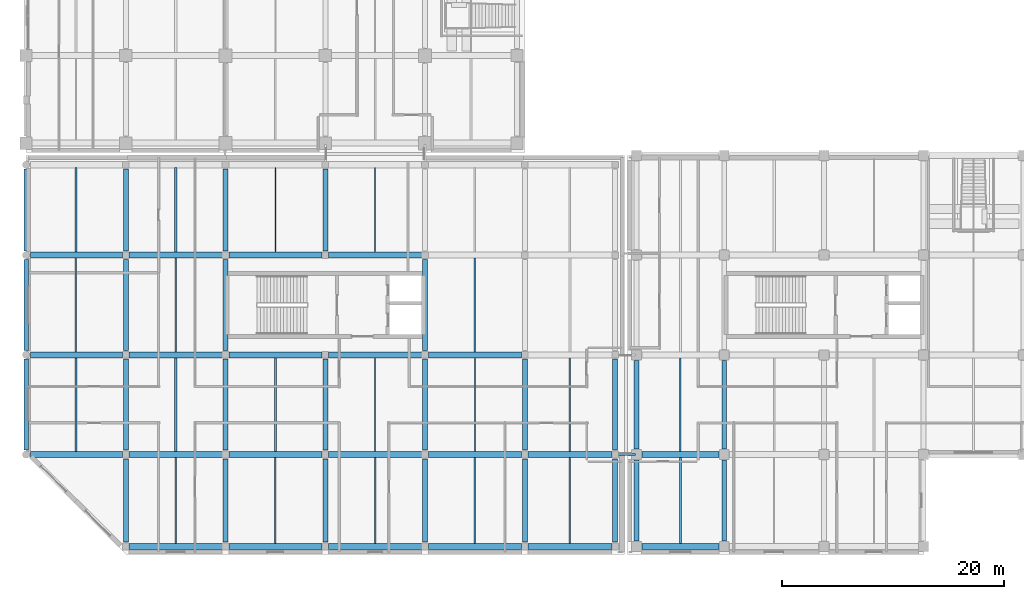
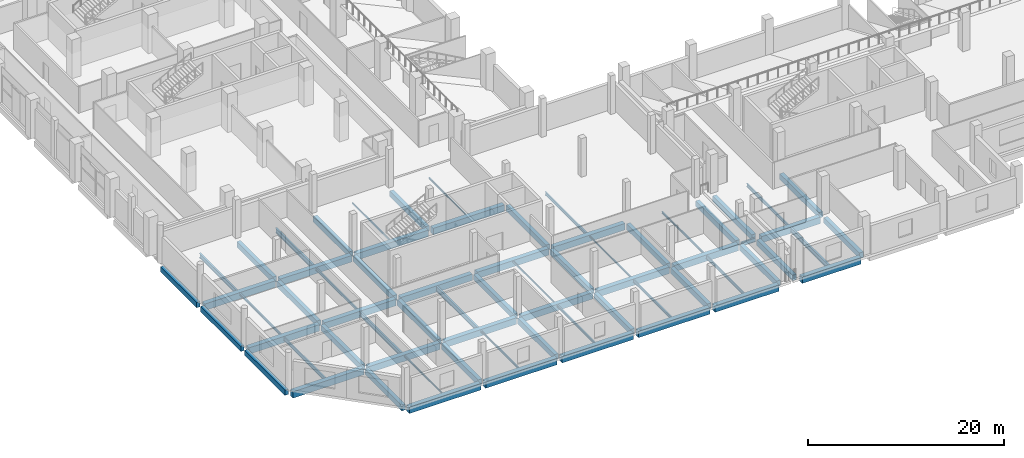
# One storey, part 5 of 100: 68 beams.
"""IFC4 building model written with IfcOpenShell, lengths in metres."""

import ifcopenshell
import ifcopenshell.guid

model = None  # the IFC model being written
_history = None  # IfcOwnerHistory: only IFC2X3 demands one
_inside = {}  # id of a spatial element -> (the spatial element, [elements in it])
_under = {}  # id of a project, library or spatial element -> (it, [spatial elements below it])
_declared = {}  # id of a project -> (the project, [libraries it declares])
_typed = {}  # id of a type object -> (the type object, [elements of that type])
_made_of = {}  # id of a material, layer set ... -> (it, [elements and type objects made of it])


def new_model(schema):
    """Start an empty IFC model of exactly this schema.

    Asked for "IFC4X3", IfcOpenShell would pick the latest addendum, in which some entities
    have other attributes; the version numbers below select the first issue.
    IFC2X3 requires an IfcOwnerHistory on every rooted entity: one is made here for all.
    """
    global model, _history
    if schema == "IFC4X3":
        model = ifcopenshell.file(schema_version=(4, 3, 0, 0))
    else:
        model = ifcopenshell.file(schema=schema)
    _inside.clear()
    _under.clear()
    _declared.clear()
    _typed.clear()
    _made_of.clear()
    _history = None
    if model.schema == "IFC2X3":
        org = make("IfcOrganization", Name="unknown")
        user = make(
            "IfcPersonAndOrganization",
            ThePerson=make("IfcPerson", FamilyName="unknown"),
            TheOrganization=org,
        )
        app = make(
            "IfcApplication",
            ApplicationDeveloper=org,
            Version="unknown",
            ApplicationFullName="unknown",
            ApplicationIdentifier="unknown",
        )
        _history = make(
            "IfcOwnerHistory",
            OwningUser=user,
            OwningApplication=app,
            ChangeAction="ADDED",
            CreationDate=0,
        )
    return model


def make(cls, **values):
    """One entity of the class cls with the attributes given. An attribute that is None is left unset."""
    return model.create_entity(
        cls, **{name: value for name, value in values.items() if value is not None}
    )


def rooted(cls, **values):
    """An entity with a GlobalId (a new one), such as an element, a storey or a relation."""
    return make(cls, GlobalId=ifcopenshell.guid.new(), OwnerHistory=_history, **values)


def si_unit(unit_type, name, prefix=None):
    """IfcSIUnit, for example si_unit("LENGTHUNIT", "METRE", prefix="MILLI")."""
    return make("IfcSIUnit", UnitType=unit_type, Prefix=prefix, Name=name)


def assignment(units):
    """IfcUnitAssignment: the units of a project."""
    return None if units is None else make("IfcUnitAssignment", Units=units)


def point(xyz):
    """IfcCartesianPoint."""
    return None if xyz is None else make("IfcCartesianPoint", Coordinates=xyz)


def direction(xyz):
    """IfcDirection."""
    return None if xyz is None else make("IfcDirection", DirectionRatios=xyz)


def frame(location, z_axis=None, x_axis=None):
    """IfcAxis2Placement3D, a coordinate frame: its origin and axes. An axis left out is left unset."""
    return make(
        "IfcAxis2Placement3D",
        Location=point(location),
        Axis=direction(z_axis),
        RefDirection=direction(x_axis),
    )


def frame_2d(location, x_axis=None):
    """IfcAxis2Placement2D, a coordinate frame in the plane: its origin and x axis."""
    return make(
        "IfcAxis2Placement2D", Location=point(location), RefDirection=direction(x_axis)
    )


def origin():
    """The frame at (0, 0, 0) with its axes left unset."""
    return frame((0.0, 0.0, 0.0))


def origin_2d():
    """The frame at (0, 0) in the plane with its x axis left unset."""
    return frame_2d((0.0, 0.0))


def place(relative_to, where):
    """IfcLocalPlacement: puts the frame where relative to a parent placement (None: the world)."""
    return make(
        "IfcLocalPlacement", PlacementRelTo=relative_to, RelativePlacement=where
    )


def context(
    kind, dimensions, precision=None, world=None, true_north=None, identifier=None
):
    """IfcGeometricRepresentationContext, for example the 3D "Model" context."""
    return make(
        "IfcGeometricRepresentationContext",
        ContextIdentifier=identifier,
        ContextType=kind,
        CoordinateSpaceDimension=dimensions,
        Precision=precision,
        WorldCoordinateSystem=world,
        TrueNorth=true_north,
    )


def subcontext(parent, identifier, kind, view, scale=None):
    """IfcGeometricRepresentationSubContext, for example "Body" below "Model"."""
    return make(
        "IfcGeometricRepresentationSubContext",
        ContextIdentifier=identifier,
        ContextType=kind,
        ParentContext=parent,
        TargetScale=scale,
        TargetView=view,
    )


def project(units=None, contexts=None):
    """IfcProject with its units and contexts."""
    return rooted(
        "IfcProject",
        Name="project",
        RepresentationContexts=contexts,
        UnitsInContext=assignment(units),
    )


def spatial(cls, under=None, at=None, **own):
    """A site, building, storey or space (cls), placed at a placement, below another one or the project."""
    s = rooted(cls, ObjectPlacement=at, **own)
    if under is not None:
        _under.setdefault(under.id(), (under, []))[1].append(s)
    return s


def profile(cls, at=None, kind="AREA", **sizes):
    """A parametric profile (cls). Its sizes go by their IFC names, for example OverallWidth=200.0."""
    return make(cls, ProfileType=kind, Position=at, **sizes)


def rectangle(**sizes):
    """IfcRectangleProfileDef."""
    return profile("IfcRectangleProfileDef", **sizes)


def hollow_rectangle(**sizes):
    """IfcRectangleHollowProfileDef."""
    return profile("IfcRectangleHollowProfileDef", **sizes)


def i_section(**sizes):
    """IfcIShapeProfileDef."""
    return profile("IfcIShapeProfileDef", **sizes)


def extrude(swept, where, along, depth):
    """IfcExtrudedAreaSolid: the profile swept, set in the frame where, extruded along a direction by depth."""
    return make(
        "IfcExtrudedAreaSolid",
        SweptArea=swept,
        Position=where,
        ExtrudedDirection=direction(along),
        Depth=depth,
    )


def shape(context_of_items, identifier, shape_type, items):
    """IfcShapeRepresentation: the items that make up one representation, for example the "Body"."""
    return make(
        "IfcShapeRepresentation",
        ContextOfItems=context_of_items,
        RepresentationIdentifier=identifier,
        RepresentationType=shape_type,
        Items=items,
    )


def material(Name=None, Category=None):
    """IfcMaterial."""
    return make("IfcMaterial", Name=Name, Category=Category)


def material_profile(
    of_material, cross_section, Name=None, Category=None, Priority=None
):
    """IfcMaterialProfile: a cross section and its material."""
    return make(
        "IfcMaterialProfile",
        Name=Name,
        Material=of_material,
        Profile=cross_section,
        Priority=Priority,
        Category=Category,
    )


def profile_set(profiles, Name=None, composite=None):
    """IfcMaterialProfileSet."""
    return make(
        "IfcMaterialProfileSet",
        Name=Name,
        MaterialProfiles=profiles,
        CompositeProfile=composite,
    )


def made_of(thing, what):
    """Note that an element or type object is made of a material, layer set ...; save() writes the relation."""
    if what is not None:
        _made_of.setdefault(what.id(), (what, []))[1].append(thing)
    return thing


def type_object(cls, material=None, **own):
    """A type object (cls), such as IfcWallType, which elements share."""
    return made_of(rooted(cls, **own), material)


def element(
    cls,
    number,
    at=None,
    inside=None,
    cuts=None,
    type_object=None,
    material=None,
    context=None,
    identifier="Body",
    shape_type=None,
    held_by="IfcProductDefinitionShape",
    body=None,
    shapes=None,
    **own,
):
    """One element of the class cls, such as IfcWall. Its Tag is "e" and its number.

    at: its placement. inside: the storey or other place that contains it. cuts: it is an
    opening in that element (IfcRelVoidsElement). A single representation is given by context,
    identifier, shape_type and body (its items); several are given by shapes. held_by: the class
    of the entity that holds the representations. save() writes the other relations.
    """
    e = rooted(cls, Tag="e%d" % number, ObjectPlacement=at, **own)
    if body is not None:
        shapes = [shape(context, identifier, shape_type, body)]
    if shapes is not None:
        e.Representation = make(held_by, Representations=shapes)
    if inside is not None:
        _inside.setdefault(inside.id(), (inside, []))[1].append(e)
    if cuts is not None:
        rooted(
            "IfcRelVoidsElement", RelatingBuildingElement=cuts, RelatedOpeningElement=e
        )
    if type_object is not None:
        _typed.setdefault(type_object.id(), (type_object, []))[1].append(e)
    return made_of(e, material)


def aggregate(whole, parts):
    """IfcRelAggregates: a whole, such as a stair, and the parts it consists of."""
    return rooted("IfcRelAggregates", RelatingObject=whole, RelatedObjects=parts)


def save(model, path):
    """Write the relations noted so far, then the file.

    IfcRelAggregates (storeys below a building ...), IfcRelContainedInSpatialStructure (elements
    in a storey), IfcRelDefinesByType, IfcRelAssociatesMaterial and IfcRelDeclares: one each for
    every whole, place, type object, material and project.
    """
    for whole, parts in _under.values():
        aggregate(whole, parts)
    for where, things in _inside.values():
        rooted(
            "IfcRelContainedInSpatialStructure",
            RelatedElements=things,
            RelatingStructure=where,
        )
    for kind, things in _typed.values():
        rooted("IfcRelDefinesByType", RelatedObjects=things, RelatingType=kind)
    for what, things in _made_of.values():
        rooted("IfcRelAssociatesMaterial", RelatedObjects=things, RelatingMaterial=what)
    for by, libraries in _declared.values():
        rooted("IfcRelDeclares", RelatingContext=by, RelatedDefinitions=libraries)
    model.write(path)


model = new_model("IFC4")

# Units and contexts
model_context = context("Model", 3, precision=1e-05, world=origin(), true_north=direction((0.0, 1.0)))
body_context = subcontext(model_context, "Body", "Model", "MODEL_VIEW")
ifc_project = project(units=[si_unit("LENGTHUNIT", "METRE"), si_unit("AREAUNIT", "SQUARE_METRE"), si_unit("VOLUMEUNIT", "CUBIC_METRE"), si_unit("PLANEANGLEUNIT", "RADIAN"), si_unit("MASSUNIT", "GRAM", prefix="KILO"), si_unit("THERMODYNAMICTEMPERATUREUNIT", "KELVIN"), si_unit("POWERUNIT", "WATT")], contexts=[model_context])

# Site, building, storey
site_placement = place(None, origin())
site = spatial("IfcSite", under=ifc_project, at=site_placement, CompositionType="ELEMENT")
building_placement = place(site_placement, origin())
building = spatial("IfcBuilding", under=site, at=building_placement, Name="Sindhuravela Promenade Stadium", CompositionType="ELEMENT")
storey_placement = place(building_placement, frame((0.0, 0.0, 4.800048828125)))
storey = spatial("IfcBuildingStorey", under=building, at=storey_placement, Name="L01", CompositionType="ELEMENT", Elevation=4.800048828125)

# Beams
ifc_material_1 = material(Name="Concrete M40", Category="concrete")
ifc_material_profile_1 = material_profile(ifc_material_1, rectangle(XDim=0.39990234375, YDim=0.64990234375, at=origin_2d()), Name="RC 400x650")
ifc_profile_set_1 = profile_set([ifc_material_profile_1], Name="Concrete M40")
beam_type_1 = type_object("IfcBeamType", Name="RC-BM-400x650", PredefinedType="SPANDREL", material=ifc_profile_set_1)
for number, where, z_axis, x_axis, name in (
    (1, (0.0, 9.389892578125, -0.625), (0.0, 1.0, 0.0), (-1.0, 0.0, 0.0), "Primary beam SP01 Pavilion SW L01"),
    (2, (0.0, 18.389892578125, -0.625), (0.0, 1.0, 0.0), (-1.0, 0.0, 0.0), "Primary beam SP01 Pavilion SW L01"),
):
    element("IfcBeam", number, at=place(storey_placement, frame(where, z_axis=z_axis, x_axis=x_axis)), inside=storey, type_object=beam_type_1, Name=name, PredefinedType="SPANDREL", context=body_context, shape_type="SweptSolid", body=[
        extrude(rectangle(XDim=0.39990234375, YDim=0.64990234375, at=origin_2d()), origin(), (0.0, 0.0, 1.0), 8.22021484375),
    ])
beam_1_placement = place(storey_placement, frame((0.0, 27.389892578125, -0.625), z_axis=(0.0, 1.0, 0.0), x_axis=(-1.0, 0.0, 0.0)))
element("IfcBeam", 3, at=beam_1_placement, inside=storey, type_object=beam_type_1, Name="Primary beam SP01 Pavilion SW L01", PredefinedType="SPANDREL", context=body_context, shape_type="SweptSolid", body=[
    extrude(rectangle(XDim=0.39990234375, YDim=0.64990234375, at=origin_2d()), origin(), (0.0, 0.0, 1.0), 7.3701171875),
])
ifc_material_profile_2 = material_profile(ifc_material_1, rectangle(XDim=0.449951171875, YDim=0.699951171875, at=origin_2d()), Name="RC 450x700")
ifc_profile_set_2 = profile_set([ifc_material_profile_2], Name="Concrete M40")
beam_type_2 = type_object("IfcBeamType", Name="RC-BM-450x700", PredefinedType="BEAM", material=ifc_profile_set_2)
beam_2_placement = place(storey_placement, frame((55.10009765625, 1.18994140625, -0.650146484375), z_axis=(0.0, 1.0, 0.0), x_axis=(-1.0, 0.0, 0.0)))
element("IfcBeam", 4, at=beam_2_placement, inside=storey, type_object=beam_type_2, Name="Primary beam GB07 SOUTH L01", PredefinedType="BEAM", context=body_context, shape_type="SweptSolid", body=[
    extrude(rectangle(XDim=0.449951171875, YDim=0.699951171875, at=origin_2d()), origin(), (0.0, 0.0, 1.0), 7.320068359375),
])
beam_3_placement = place(storey_placement, frame((55.10009765625, 9.489990234375, -0.650146484375), z_axis=(0.0, 1.0, 0.0), x_axis=(-1.0, 0.0, 0.0)))
element("IfcBeam", 5, at=beam_3_placement, inside=storey, type_object=beam_type_2, Name="Primary beam GB07 SOUTH L01", PredefinedType="BEAM", context=body_context, shape_type="SweptSolid", body=[
    extrude(rectangle(XDim=0.449951171875, YDim=0.699951171875, at=origin_2d()), origin(), (0.0, 0.0, 1.0), 8.02001953125),
])
beam_4_placement = place(storey_placement, frame((63.0, 1.18994140625, -0.650146484375), z_axis=(0.0, 1.0, 0.0), x_axis=(-1.0, 0.0, 0.0)))
element("IfcBeam", 6, at=beam_4_placement, inside=storey, type_object=beam_type_2, Name="Primary beam GB07 SOUTH L01", PredefinedType="BEAM", context=body_context, shape_type="SweptSolid", body=[
    extrude(rectangle(XDim=0.449951171875, YDim=0.699951171875, at=origin_2d()), origin(), (0.0, 0.0, 1.0), 7.320068359375),
])
beam_5_placement = place(storey_placement, frame((63.0, 9.489990234375, -0.650146484375), z_axis=(0.0, 1.0, 0.0), x_axis=(-1.0, 0.0, 0.0)))
element("IfcBeam", 7, at=beam_5_placement, inside=storey, type_object=beam_type_2, Name="Primary beam GB07 SOUTH L01", PredefinedType="BEAM", context=body_context, shape_type="SweptSolid", body=[
    extrude(rectangle(XDim=0.449951171875, YDim=0.699951171875, at=origin_2d()), origin(), (0.0, 0.0, 1.0), 8.02001953125),
])
beam_6_placement = place(storey_placement, frame((9.0, 1.090087890625, -0.650146484375), z_axis=(0.0, 1.0, 0.0), x_axis=(-1.0, 0.0, 0.0)))
element("IfcBeam", 8, at=beam_6_placement, inside=storey, type_object=beam_type_2, Name="Primary beam GB07 Pavilion SW L01", PredefinedType="BEAM", context=body_context, shape_type="SweptSolid", body=[
    extrude(rectangle(XDim=0.449951171875, YDim=0.699951171875, at=origin_2d()), origin(), (0.0, 0.0, 1.0), 7.52001953125),
])
for number, where, z_axis, x_axis, name in (
    (9, (9.0, 9.389892578125, -0.650146484375), (0.0, 1.0, 0.0), (-1.0, 0.0, 0.0), "Primary beam GB07 Pavilion SW L01"),
    (10, (9.0, 18.389892578125, -0.650146484375), (0.0, 1.0, 0.0), (-1.0, 0.0, 0.0), "Primary beam GB07 Pavilion SW L01"),
):
    element("IfcBeam", number, at=place(storey_placement, frame(where, z_axis=z_axis, x_axis=x_axis)), inside=storey, type_object=beam_type_2, Name=name, PredefinedType="BEAM", context=body_context, shape_type="SweptSolid", body=[
        extrude(rectangle(XDim=0.449951171875, YDim=0.699951171875, at=origin_2d()), origin(), (0.0, 0.0, 1.0), 8.22021484375),
    ])
beam_7_placement = place(storey_placement, frame((9.0, 27.389892578125, -0.650146484375), z_axis=(0.0, 1.0, 0.0), x_axis=(-1.0, 0.0, 0.0)))
element("IfcBeam", 11, at=beam_7_placement, inside=storey, type_object=beam_type_2, Name="Primary beam GB07 Pavilion SW L01", PredefinedType="BEAM", context=body_context, shape_type="SweptSolid", body=[
    extrude(rectangle(XDim=0.449951171875, YDim=0.699951171875, at=origin_2d()), origin(), (0.0, 0.0, 1.0), 7.3701171875),
])
beam_8_placement = place(storey_placement, frame((18.0, 1.090087890625, -0.650146484375), z_axis=(0.0, 1.0, 0.0), x_axis=(-1.0, 0.0, 0.0)))
element("IfcBeam", 12, at=beam_8_placement, inside=storey, type_object=beam_type_2, Name="Primary beam GB07 Pavilion SW L01", PredefinedType="BEAM", context=body_context, shape_type="SweptSolid", body=[
    extrude(rectangle(XDim=0.449951171875, YDim=0.699951171875, at=origin_2d()), origin(), (0.0, 0.0, 1.0), 7.52001953125),
])
for number, where, z_axis, x_axis, name in (
    (13, (18.0, 9.389892578125, -0.650146484375), (0.0, 1.0, 0.0), (-1.0, 0.0, 0.0), "Primary beam GB07 Pavilion SW L01"),
    (14, (18.0, 18.389892578125, -0.650146484375), (0.0, 1.0, 0.0), (-1.0, 0.0, 0.0), "Primary beam GB07 Pavilion SW L01"),
):
    element("IfcBeam", number, at=place(storey_placement, frame(where, z_axis=z_axis, x_axis=x_axis)), inside=storey, type_object=beam_type_2, Name=name, PredefinedType="BEAM", context=body_context, shape_type="SweptSolid", body=[
        extrude(rectangle(XDim=0.449951171875, YDim=0.699951171875, at=origin_2d()), origin(), (0.0, 0.0, 1.0), 8.22021484375),
    ])
beam_9_placement = place(storey_placement, frame((18.0, 27.389892578125, -0.650146484375), z_axis=(0.0, 1.0, 0.0), x_axis=(-1.0, 0.0, 0.0)))
element("IfcBeam", 15, at=beam_9_placement, inside=storey, type_object=beam_type_2, Name="Primary beam GB07 Pavilion SW L01", PredefinedType="BEAM", context=body_context, shape_type="SweptSolid", body=[
    extrude(rectangle(XDim=0.449951171875, YDim=0.699951171875, at=origin_2d()), origin(), (0.0, 0.0, 1.0), 7.3701171875),
])
beam_10_placement = place(storey_placement, frame((27.0, 1.090087890625, -0.650146484375), z_axis=(0.0, 1.0, 0.0), x_axis=(-1.0, 0.0, 0.0)))
element("IfcBeam", 16, at=beam_10_placement, inside=storey, type_object=beam_type_2, Name="Primary beam GB07 Pavilion SW L01", PredefinedType="BEAM", context=body_context, shape_type="SweptSolid", body=[
    extrude(rectangle(XDim=0.449951171875, YDim=0.699951171875, at=origin_2d()), origin(), (0.0, 0.0, 1.0), 7.52001953125),
])
beam_11_placement = place(storey_placement, frame((27.0, 9.389892578125, -0.650146484375), z_axis=(0.0, 1.0, 0.0), x_axis=(-1.0, 0.0, 0.0)))
element("IfcBeam", 17, at=beam_11_placement, inside=storey, type_object=beam_type_2, Name="Primary beam GB07 Pavilion SW L01", PredefinedType="BEAM", context=body_context, shape_type="SweptSolid", body=[
    extrude(rectangle(XDim=0.449951171875, YDim=0.699951171875, at=origin_2d()), origin(), (0.0, 0.0, 1.0), 8.22021484375),
])
beam_12_placement = place(storey_placement, frame((27.0, 27.389892578125, -0.650146484375), z_axis=(0.0, 1.0, 0.0), x_axis=(-1.0, 0.0, 0.0)))
element("IfcBeam", 18, at=beam_12_placement, inside=storey, type_object=beam_type_2, Name="Primary beam GB07 Pavilion SW L01", PredefinedType="BEAM", context=body_context, shape_type="SweptSolid", body=[
    extrude(rectangle(XDim=0.449951171875, YDim=0.699951171875, at=origin_2d()), origin(), (0.0, 0.0, 1.0), 7.3701171875),
])
beam_13_placement = place(storey_placement, frame((36.0, 1.090087890625, -0.650146484375), z_axis=(0.0, 1.0, 0.0), x_axis=(-1.0, 0.0, 0.0)))
element("IfcBeam", 19, at=beam_13_placement, inside=storey, type_object=beam_type_2, Name="Primary beam GB07 Pavilion SW L01", PredefinedType="BEAM", context=body_context, shape_type="SweptSolid", body=[
    extrude(rectangle(XDim=0.449951171875, YDim=0.699951171875, at=origin_2d()), origin(), (0.0, 0.0, 1.0), 7.52001953125),
])
for number, where, z_axis, x_axis, name in (
    (20, (36.0, 9.389892578125, -0.650146484375), (0.0, 1.0, 0.0), (-1.0, 0.0, 0.0), "Primary beam GB07 Pavilion SW L01"),
    (21, (36.0, 18.389892578125, -0.650146484375), (0.0, 1.0, 0.0), (-1.0, 0.0, 0.0), "Primary beam GB07 Pavilion SW L01"),
):
    element("IfcBeam", number, at=place(storey_placement, frame(where, z_axis=z_axis, x_axis=x_axis)), inside=storey, type_object=beam_type_2, Name=name, PredefinedType="BEAM", context=body_context, shape_type="SweptSolid", body=[
        extrude(rectangle(XDim=0.449951171875, YDim=0.699951171875, at=origin_2d()), origin(), (0.0, 0.0, 1.0), 8.22021484375),
    ])
beam_14_placement = place(storey_placement, frame((45.0, 1.090087890625, -0.650146484375), z_axis=(0.0, 1.0, 0.0), x_axis=(-1.0, 0.0, 0.0)))
element("IfcBeam", 22, at=beam_14_placement, inside=storey, type_object=beam_type_2, Name="Primary beam GB07 Pavilion SW L01", PredefinedType="BEAM", context=body_context, shape_type="SweptSolid", body=[
    extrude(rectangle(XDim=0.449951171875, YDim=0.699951171875, at=origin_2d()), origin(), (0.0, 0.0, 1.0), 7.52001953125),
])
beam_15_placement = place(storey_placement, frame((45.0, 9.389892578125, -0.650146484375), z_axis=(0.0, 1.0, 0.0), x_axis=(-1.0, 0.0, 0.0)))
element("IfcBeam", 23, at=beam_15_placement, inside=storey, type_object=beam_type_2, Name="Primary beam GB07 Pavilion SW L01", PredefinedType="BEAM", context=body_context, shape_type="SweptSolid", body=[
    extrude(rectangle(XDim=0.449951171875, YDim=0.699951171875, at=origin_2d()), origin(), (0.0, 0.0, 1.0), 8.22021484375),
])
beam_16_placement = place(storey_placement, frame((53.14990234375, 1.090087890625, -0.650146484375), z_axis=(0.0, 1.0, 0.0), x_axis=(-1.0, 0.0, 0.0)))
element("IfcBeam", 24, at=beam_16_placement, inside=storey, type_object=beam_type_2, Name="Primary beam GB07 Pavilion SW L01", PredefinedType="BEAM", context=body_context, shape_type="SweptSolid", body=[
    extrude(rectangle(XDim=0.449951171875, YDim=0.699951171875, at=origin_2d()), origin(), (0.0, 0.0, 1.0), 7.52001953125),
])
beam_17_placement = place(storey_placement, frame((53.14990234375, 9.389892578125, -0.650146484375), z_axis=(0.0, 1.0, 0.0), x_axis=(-1.0, 0.0, 0.0)))
element("IfcBeam", 25, at=beam_17_placement, inside=storey, type_object=beam_type_2, Name="Primary beam GB07 Pavilion SW L01", PredefinedType="BEAM", context=body_context, shape_type="SweptSolid", body=[
    extrude(rectangle(XDim=0.449951171875, YDim=0.699951171875, at=origin_2d()), origin(), (0.0, 0.0, 1.0), 8.22021484375),
])
ifc_material_profile_3 = material_profile(ifc_material_1, rectangle(XDim=0.550048828125, YDim=0.800048828125, at=origin_2d()), Name="RC 550x800")
ifc_profile_set_3 = profile_set([ifc_material_profile_3], Name="Concrete M40")
beam_type_3 = type_object("IfcBeamType", Name="RC-BM-550x800", PredefinedType="BEAM", material=ifc_profile_set_3)
for number, where, z_axis, x_axis, name in (
    (26, (55.590087890625, 0.699951171875, -0.699951171875), (1.0, 0.0, 0.0), (0.0, 1.0, 0.0), "Primary girder GB05 SOUTH L01"),
    (27, (55.590087890625, 9.0, -0.699951171875), (1.0, 0.0, 0.0), (0.0, 1.0, 0.0), "Primary girder GB05 SOUTH L01"),
):
    element("IfcBeam", number, at=place(storey_placement, frame(where, z_axis=z_axis, x_axis=x_axis)), inside=storey, type_object=beam_type_3, Name=name, PredefinedType="BEAM", context=body_context, shape_type="SweptSolid", body=[
        extrude(rectangle(XDim=0.550048828125, YDim=0.800048828125, at=origin_2d()), origin(), (0.0, 0.0, 1.0), 6.919921875),
    ])
for number, where, z_axis, x_axis, name in (
    (28, (9.2900390625, 0.699951171875, -0.699951171875), (1.0, 0.0, 0.0), (0.0, 1.0, 0.0), "Primary girder GB05 Pavilion SW L01"),
    (29, (18.2900390625, 0.699951171875, -0.699951171875), (1.0, 0.0, 0.0), (0.0, 1.0, 0.0), "Primary girder GB05 Pavilion SW L01"),
    (30, (27.2900390625, 0.699951171875, -0.699951171875), (1.0, 0.0, 0.0), (0.0, 1.0, 0.0), "Primary girder GB05 Pavilion SW L01"),
    (31, (36.2900390625, 0.699951171875, -0.699951171875), (1.0, 0.0, 0.0), (0.0, 1.0, 0.0), "Primary girder GB05 Pavilion SW L01"),
):
    element("IfcBeam", number, at=place(storey_placement, frame(where, z_axis=z_axis, x_axis=x_axis)), inside=storey, type_object=beam_type_3, Name=name, PredefinedType="BEAM", context=body_context, shape_type="SweptSolid", body=[
        extrude(rectangle(XDim=0.550048828125, YDim=0.800048828125, at=origin_2d()), origin(), (0.0, 0.0, 1.0), 8.419921875),
    ])
beam_18_placement = place(storey_placement, frame((45.2900390625, 0.699951171875, -0.699951171875), z_axis=(1.0, 0.0, 0.0), x_axis=(0.0, 1.0, 0.0)))
element("IfcBeam", 32, at=beam_18_placement, inside=storey, type_object=beam_type_3, Name="Primary girder GB05 Pavilion SW L01", PredefinedType="BEAM", context=body_context, shape_type="SweptSolid", body=[
    extrude(rectangle(XDim=0.550048828125, YDim=0.800048828125, at=origin_2d()), origin(), (0.0, 0.0, 1.0), 7.570068359375),
])
beam_19_placement = place(storey_placement, frame((0.389892578125, 9.0, -0.699951171875), z_axis=(1.0, 0.0, 0.0), x_axis=(0.0, 1.0, 0.0)))
element("IfcBeam", 33, at=beam_19_placement, inside=storey, type_object=beam_type_3, Name="Primary girder GB05 Pavilion SW L01", PredefinedType="BEAM", context=body_context, shape_type="SweptSolid", body=[
    extrude(rectangle(XDim=0.550048828125, YDim=0.800048828125, at=origin_2d()), origin(), (0.0, 0.0, 1.0), 8.320068359375),
])
for number, where, z_axis, x_axis, name in (
    (34, (9.2900390625, 9.0, -0.699951171875), (1.0, 0.0, 0.0), (0.0, 1.0, 0.0), "Primary girder GB05 Pavilion SW L01"),
    (35, (18.2900390625, 9.0, -0.699951171875), (1.0, 0.0, 0.0), (0.0, 1.0, 0.0), "Primary girder GB05 Pavilion SW L01"),
    (36, (27.2900390625, 9.0, -0.699951171875), (1.0, 0.0, 0.0), (0.0, 1.0, 0.0), "Primary girder GB05 Pavilion SW L01"),
    (37, (36.2900390625, 9.0, -0.699951171875), (1.0, 0.0, 0.0), (0.0, 1.0, 0.0), "Primary girder GB05 Pavilion SW L01"),
):
    element("IfcBeam", number, at=place(storey_placement, frame(where, z_axis=z_axis, x_axis=x_axis)), inside=storey, type_object=beam_type_3, Name=name, PredefinedType="BEAM", context=body_context, shape_type="SweptSolid", body=[
        extrude(rectangle(XDim=0.550048828125, YDim=0.800048828125, at=origin_2d()), origin(), (0.0, 0.0, 1.0), 8.419921875),
    ])
beam_20_placement = place(storey_placement, frame((45.2900390625, 9.0, -0.699951171875), z_axis=(1.0, 0.0, 0.0), x_axis=(0.0, 1.0, 0.0)))
element("IfcBeam", 38, at=beam_20_placement, inside=storey, type_object=beam_type_3, Name="Primary girder GB05 Pavilion SW L01", PredefinedType="BEAM", context=body_context, shape_type="SweptSolid", body=[
    extrude(rectangle(XDim=0.550048828125, YDim=0.800048828125, at=origin_2d()), origin(), (0.0, 0.0, 1.0), 7.570068359375),
])
beam_21_placement = place(storey_placement, frame((0.389892578125, 18.0, -0.699951171875), z_axis=(1.0, 0.0, 0.0), x_axis=(0.0, 1.0, 0.0)))
element("IfcBeam", 39, at=beam_21_placement, inside=storey, type_object=beam_type_3, Name="Primary girder GB05 Pavilion SW L01", PredefinedType="BEAM", context=body_context, shape_type="SweptSolid", body=[
    extrude(rectangle(XDim=0.550048828125, YDim=0.800048828125, at=origin_2d()), origin(), (0.0, 0.0, 1.0), 8.320068359375),
])
for number, where, z_axis, x_axis, name in (
    (40, (9.2900390625, 18.0, -0.699951171875), (1.0, 0.0, 0.0), (0.0, 1.0, 0.0), "Primary girder GB05 Pavilion SW L01"),
    (41, (18.2900390625, 18.0, -0.699951171875), (1.0, 0.0, 0.0), (0.0, 1.0, 0.0), "Primary girder GB05 Pavilion SW L01"),
    (42, (27.2900390625, 18.0, -0.699951171875), (1.0, 0.0, 0.0), (0.0, 1.0, 0.0), "Primary girder GB05 Pavilion SW L01"),
    (43, (36.2900390625, 18.0, -0.699951171875), (1.0, 0.0, 0.0), (0.0, 1.0, 0.0), "Primary girder GB05 Pavilion SW L01"),
):
    element("IfcBeam", number, at=place(storey_placement, frame(where, z_axis=z_axis, x_axis=x_axis)), inside=storey, type_object=beam_type_3, Name=name, PredefinedType="BEAM", context=body_context, shape_type="SweptSolid", body=[
        extrude(rectangle(XDim=0.550048828125, YDim=0.800048828125, at=origin_2d()), origin(), (0.0, 0.0, 1.0), 8.419921875),
    ])
beam_22_placement = place(storey_placement, frame((0.389892578125, 27.0, -0.699951171875), z_axis=(1.0, 0.0, 0.0), x_axis=(0.0, 1.0, 0.0)))
element("IfcBeam", 44, at=beam_22_placement, inside=storey, type_object=beam_type_3, Name="Primary girder GB05 Pavilion SW L01", PredefinedType="BEAM", context=body_context, shape_type="SweptSolid", body=[
    extrude(rectangle(XDim=0.550048828125, YDim=0.800048828125, at=origin_2d()), origin(), (0.0, 0.0, 1.0), 8.320068359375),
])
for number, where, z_axis, x_axis, name in (
    (45, (9.2900390625, 27.0, -0.699951171875), (1.0, 0.0, 0.0), (0.0, 1.0, 0.0), "Primary girder GB05 Pavilion SW L01"),
    (46, (18.2900390625, 27.0, -0.699951171875), (1.0, 0.0, 0.0), (0.0, 1.0, 0.0), "Primary girder GB05 Pavilion SW L01"),
    (47, (27.2900390625, 27.0, -0.699951171875), (1.0, 0.0, 0.0), (0.0, 1.0, 0.0), "Primary girder GB05 Pavilion SW L01"),
):
    element("IfcBeam", number, at=place(storey_placement, frame(where, z_axis=z_axis, x_axis=x_axis)), inside=storey, type_object=beam_type_3, Name=name, PredefinedType="BEAM", context=body_context, shape_type="SweptSolid", body=[
        extrude(rectangle(XDim=0.550048828125, YDim=0.800048828125, at=origin_2d()), origin(), (0.0, 0.0, 1.0), 8.419921875),
    ])
ifc_material_2 = material(Name="Steel E350 (IS 2062 E350BR)", Category="steel")
ifc_material_profile_4 = material_profile(ifc_material_2, hollow_rectangle(XDim=0.10009765625, YDim=0.199951171875, WallThickness=0.008056640625, at=origin_2d()), Name="RHS 200x100x8")
ifc_profile_set_4 = profile_set([ifc_material_profile_4], Name="Steel E350 (IS 2062 E350BR)")
beam_type_4 = type_object("IfcBeamType", Name="ST-BM-LNT200", PredefinedType="LINTEL", material=ifc_profile_set_4)
beam_23_placement = place(storey_placement, frame((31.5, 9.264892578125, -0.400146484375), z_axis=(0.0, 1.0, 0.0), x_axis=(-1.0, 0.0, 0.0)))
element("IfcBeam", 48, at=beam_23_placement, inside=storey, type_object=beam_type_4, Name="Secondary floor joist LN01 Pavilion SW L01", PredefinedType="LINTEL", context=body_context, shape_type="SweptSolid", body=[
    extrude(hollow_rectangle(XDim=0.10009765625, YDim=0.199951171875, WallThickness=0.008056640625, at=origin_2d()), origin(), (0.0, 0.0, 1.0), 8.47021484375),
])
beam_24_placement = place(storey_placement, frame((22.5, 27.264892578125, -0.400146484375), z_axis=(0.0, 1.0, 0.0), x_axis=(-1.0, 0.0, 0.0)))
element("IfcBeam", 49, at=beam_24_placement, inside=storey, type_object=beam_type_4, Name="Secondary floor joist LN01 Pavilion SW L01", PredefinedType="LINTEL", context=body_context, shape_type="SweptSolid", body=[
    extrude(hollow_rectangle(XDim=0.10009765625, YDim=0.199951171875, WallThickness=0.008056640625, at=origin_2d()), origin(), (0.0, 0.0, 1.0), 7.6201171875),
])
ifc_material_profile_5 = material_profile(ifc_material_2, i_section(OverallWidth=0.10009765625, OverallDepth=0.199951171875, WebThickness=0.005615234375, FlangeThickness=0.0107421875, FilletRadius=0.010986328125, at=origin_2d()), Name="ISMB 200")
ifc_profile_set_5 = profile_set([ifc_material_profile_5], Name="Steel E350 (IS 2062 E350BR)")
beam_type_5 = type_object("IfcBeamType", Name="ST-BM-MB200", PredefinedType="JOIST", material=ifc_profile_set_5)
beam_25_placement = place(storey_placement, frame((13.5, 0.965087890625, -0.400146484375), z_axis=(0.0, 1.0, 0.0), x_axis=(-1.0, 0.0, 0.0)))
element("IfcBeam", 50, at=beam_25_placement, inside=storey, type_object=beam_type_5, Name="Secondary floor joist SB01 Pavilion SW L01", PredefinedType="JOIST", context=body_context, shape_type="SweptSolid", body=[
    extrude(i_section(OverallWidth=0.10009765625, OverallDepth=0.199951171875, WebThickness=0.005615234375, FlangeThickness=0.0107421875, FilletRadius=0.010986328125, at=origin_2d()), origin(), (0.0, 0.0, 1.0), 7.77001953125),
])
beam_26_placement = place(storey_placement, frame((40.5, 9.264892578125, -0.400146484375), z_axis=(0.0, 1.0, 0.0), x_axis=(-1.0, 0.0, 0.0)))
element("IfcBeam", 51, at=beam_26_placement, inside=storey, type_object=beam_type_5, Name="Secondary floor joist SB01 Pavilion SW L01", PredefinedType="JOIST", context=body_context, shape_type="SweptSolid", body=[
    extrude(i_section(OverallWidth=0.10009765625, OverallDepth=0.199951171875, WebThickness=0.005615234375, FlangeThickness=0.0107421875, FilletRadius=0.010986328125, at=origin_2d()), origin(), (0.0, 0.0, 1.0), 8.47021484375),
])
beam_27_placement = place(storey_placement, frame((31.5, 27.264892578125, -0.400146484375), z_axis=(0.0, 1.0, 0.0), x_axis=(-1.0, 0.0, 0.0)))
element("IfcBeam", 52, at=beam_27_placement, inside=storey, type_object=beam_type_5, Name="Secondary floor joist SB01 Pavilion SW L01", PredefinedType="JOIST", context=body_context, shape_type="SweptSolid", body=[
    extrude(i_section(OverallWidth=0.10009765625, OverallDepth=0.199951171875, WebThickness=0.005615234375, FlangeThickness=0.0107421875, FilletRadius=0.010986328125, at=origin_2d()), origin(), (0.0, 0.0, 1.0), 7.6201171875),
])
ifc_material_profile_6 = material_profile(ifc_material_2, i_section(OverallWidth=0.125, OverallDepth=0.25, WebThickness=0.0068359375, FlangeThickness=0.012451171875, FilletRadius=0.012939453125, at=origin_2d()), Name="ISMB 250")
ifc_profile_set_6 = profile_set([ifc_material_profile_6], Name="Steel E350 (IS 2062 E350BR)")
beam_type_6 = type_object("IfcBeamType", Name="ST-BM-MB250", PredefinedType="JOIST", material=ifc_profile_set_6)
beam_28_placement = place(storey_placement, frame((22.5, 0.965087890625, -0.425048828125), z_axis=(0.0, 1.0, 0.0), x_axis=(-1.0, 0.0, 0.0)))
element("IfcBeam", 53, at=beam_28_placement, inside=storey, type_object=beam_type_6, Name="Secondary floor joist SB02 Pavilion SW L01", PredefinedType="JOIST", context=body_context, shape_type="SweptSolid", body=[
    extrude(i_section(OverallWidth=0.125, OverallDepth=0.25, WebThickness=0.0068359375, FlangeThickness=0.012451171875, FilletRadius=0.012939453125, at=origin_2d()), origin(), (0.0, 0.0, 1.0), 7.77001953125),
])
beam_29_placement = place(storey_placement, frame((49.074951171875, 9.264892578125, -0.425048828125), z_axis=(0.0, 1.0, 0.0), x_axis=(-1.0, 0.0, 0.0)))
element("IfcBeam", 54, at=beam_29_placement, inside=storey, type_object=beam_type_6, Name="Secondary floor joist SB02 Pavilion SW L01", PredefinedType="JOIST", context=body_context, shape_type="SweptSolid", body=[
    extrude(i_section(OverallWidth=0.125, OverallDepth=0.25, WebThickness=0.0068359375, FlangeThickness=0.012451171875, FilletRadius=0.012939453125, at=origin_2d()), origin(), (0.0, 0.0, 1.0), 8.47021484375),
])
ifc_material_profile_7 = material_profile(ifc_material_2, i_section(OverallWidth=0.139892578125, OverallDepth=0.300048828125, WebThickness=0.0078125, FlangeThickness=0.01318359375, FilletRadius=0.013916015625, at=origin_2d()), Name="ISMB 300")
ifc_profile_set_7 = profile_set([ifc_material_profile_7], Name="Steel E350 (IS 2062 E350BR)")
beam_type_7 = type_object("IfcBeamType", Name="ST-BM-MB300", PredefinedType="JOIST", material=ifc_profile_set_7)
beam_30_placement = place(storey_placement, frame((31.5, 0.965087890625, -0.449951171875), z_axis=(0.0, 1.0, 0.0), x_axis=(-1.0, 0.0, 0.0)))
element("IfcBeam", 55, at=beam_30_placement, inside=storey, type_object=beam_type_7, Name="Secondary floor joist SB03 Pavilion SW L01", PredefinedType="JOIST", context=body_context, shape_type="SweptSolid", body=[
    extrude(i_section(OverallWidth=0.139892578125, OverallDepth=0.300048828125, WebThickness=0.0078125, FlangeThickness=0.01318359375, FilletRadius=0.013916015625, at=origin_2d()), origin(), (0.0, 0.0, 1.0), 7.77001953125),
])
beam_31_placement = place(storey_placement, frame((4.5, 18.264892578125, -0.449951171875), z_axis=(0.0, 1.0, 0.0), x_axis=(-1.0, 0.0, 0.0)))
element("IfcBeam", 56, at=beam_31_placement, inside=storey, type_object=beam_type_7, Name="Secondary floor joist SB03 Pavilion SW L01", PredefinedType="JOIST", context=body_context, shape_type="SweptSolid", body=[
    extrude(i_section(OverallWidth=0.139892578125, OverallDepth=0.300048828125, WebThickness=0.0078125, FlangeThickness=0.01318359375, FilletRadius=0.013916015625, at=origin_2d()), origin(), (0.0, 0.0, 1.0), 8.47021484375),
])
ifc_material_profile_8 = material_profile(ifc_material_2, i_section(OverallWidth=0.139892578125, OverallDepth=0.35009765625, WebThickness=0.008056640625, FlangeThickness=0.01416015625, FilletRadius=0.013916015625, at=origin_2d()), Name="ISMB 350")
ifc_profile_set_8 = profile_set([ifc_material_profile_8], Name="Steel E350 (IS 2062 E350BR)")
beam_type_8 = type_object("IfcBeamType", Name="ST-BM-MB350", PredefinedType="JOIST", material=ifc_profile_set_8)
beam_32_placement = place(storey_placement, frame((40.5, 0.965087890625, -0.47509765625), z_axis=(0.0, 1.0, 0.0), x_axis=(-1.0, 0.0, 0.0)))
element("IfcBeam", 57, at=beam_32_placement, inside=storey, type_object=beam_type_8, Name="Secondary floor joist SB04 Pavilion SW L01", PredefinedType="JOIST", context=body_context, shape_type="SweptSolid", body=[
    extrude(i_section(OverallWidth=0.139892578125, OverallDepth=0.35009765625, WebThickness=0.008056640625, FlangeThickness=0.01416015625, FilletRadius=0.013916015625, at=origin_2d()), origin(), (0.0, 0.0, 1.0), 7.77001953125),
])
beam_33_placement = place(storey_placement, frame((13.5, 18.264892578125, -0.47509765625), z_axis=(0.0, 1.0, 0.0), x_axis=(-1.0, 0.0, 0.0)))
element("IfcBeam", 58, at=beam_33_placement, inside=storey, type_object=beam_type_8, Name="Secondary floor joist SB04 Pavilion SW L01", PredefinedType="JOIST", context=body_context, shape_type="SweptSolid", body=[
    extrude(i_section(OverallWidth=0.139892578125, OverallDepth=0.35009765625, WebThickness=0.008056640625, FlangeThickness=0.01416015625, FilletRadius=0.013916015625, at=origin_2d()), origin(), (0.0, 0.0, 1.0), 8.47021484375),
])
ifc_material_profile_9 = material_profile(ifc_material_2, i_section(OverallWidth=0.139892578125, OverallDepth=0.39990234375, WebThickness=0.0087890625, FlangeThickness=0.01611328125, FilletRadius=0.013916015625, at=origin_2d()), Name="ISMB 400")
ifc_profile_set_9 = profile_set([ifc_material_profile_9], Name="Steel E350 (IS 2062 E350BR)")
beam_type_9 = type_object("IfcBeamType", Name="ST-BM-MB400", PredefinedType="BEAM", material=ifc_profile_set_9)
beam_34_placement = place(storey_placement, frame((59.050048828125, 9.264892578125, -0.5), z_axis=(0.0, 1.0, 0.0), x_axis=(-1.0, 0.0, 0.0)))
element("IfcBeam", 59, at=beam_34_placement, inside=storey, type_object=beam_type_9, Name="Secondary floor joist SB05 SOUTH L01", PredefinedType="BEAM", context=body_context, shape_type="SweptSolid", body=[
    extrude(i_section(OverallWidth=0.139892578125, OverallDepth=0.39990234375, WebThickness=0.0087890625, FlangeThickness=0.01611328125, FilletRadius=0.013916015625, at=origin_2d()), origin(), (0.0, 0.0, 1.0), 8.47021484375),
])
beam_35_placement = place(storey_placement, frame((49.074951171875, 0.965087890625, -0.5), z_axis=(0.0, 1.0, 0.0), x_axis=(-1.0, 0.0, 0.0)))
element("IfcBeam", 60, at=beam_35_placement, inside=storey, type_object=beam_type_9, Name="Secondary floor joist SB05 Pavilion SW L01", PredefinedType="BEAM", context=body_context, shape_type="SweptSolid", body=[
    extrude(i_section(OverallWidth=0.139892578125, OverallDepth=0.39990234375, WebThickness=0.0087890625, FlangeThickness=0.01611328125, FilletRadius=0.013916015625, at=origin_2d()), origin(), (0.0, 0.0, 1.0), 7.77001953125),
])
beam_36_placement = place(storey_placement, frame((40.5, 18.264892578125, -0.5), z_axis=(0.0, 1.0, 0.0), x_axis=(-1.0, 0.0, 0.0)))
element("IfcBeam", 61, at=beam_36_placement, inside=storey, type_object=beam_type_9, Name="Secondary floor joist SB05 Pavilion SW L01", PredefinedType="BEAM", context=body_context, shape_type="SweptSolid", body=[
    extrude(i_section(OverallWidth=0.139892578125, OverallDepth=0.39990234375, WebThickness=0.0087890625, FlangeThickness=0.01611328125, FilletRadius=0.013916015625, at=origin_2d()), origin(), (0.0, 0.0, 1.0), 8.47021484375),
])
ifc_material_profile_10 = material_profile(ifc_material_2, i_section(OverallWidth=0.14990234375, OverallDepth=0.449951171875, WebThickness=0.009521484375, FlangeThickness=0.017333984375, FilletRadius=0.014892578125, at=origin_2d()), Name="ISMB 450")
ifc_profile_set_10 = profile_set([ifc_material_profile_10], Name="Steel E350 (IS 2062 E350BR)")
beam_type_10 = type_object("IfcBeamType", Name="ST-BM-MB450", PredefinedType="BEAM", material=ifc_profile_set_10)
beam_37_placement = place(storey_placement, frame((4.5, 9.264892578125, -0.525146484375), z_axis=(0.0, 1.0, 0.0), x_axis=(-1.0, 0.0, 0.0)))
element("IfcBeam", 62, at=beam_37_placement, inside=storey, type_object=beam_type_10, Name="Secondary floor joist SB06 Pavilion SW L01", PredefinedType="BEAM", context=body_context, shape_type="SweptSolid", body=[
    extrude(i_section(OverallWidth=0.14990234375, OverallDepth=0.449951171875, WebThickness=0.009521484375, FlangeThickness=0.017333984375, FilletRadius=0.014892578125, at=origin_2d()), origin(), (0.0, 0.0, 1.0), 8.47021484375),
])
ifc_material_profile_11 = material_profile(ifc_material_2, i_section(OverallWidth=0.179931640625, OverallDepth=0.5, WebThickness=0.01025390625, FlangeThickness=0.01708984375, FilletRadius=0.01708984375, at=origin_2d()), Name="ISMB 500")
ifc_profile_set_11 = profile_set([ifc_material_profile_11], Name="Steel E350 (IS 2062 E350BR)")
beam_type_11 = type_object("IfcBeamType", Name="ST-BM-MB500", PredefinedType="BEAM", material=ifc_profile_set_11)
beam_38_placement = place(storey_placement, frame((53.25, 9.0, -0.610107421875), z_axis=(1.0, 0.0, 0.0), x_axis=(0.0, 1.0, 0.0)))
element("IfcBeam", 63, at=beam_38_placement, inside=storey, type_object=beam_type_11, Name="Concourse link bridge L01 South-SW PTFE sliding girder B", PredefinedType="BEAM", context=body_context, shape_type="SweptSolid", body=[
    extrude(i_section(OverallWidth=0.179931640625, OverallDepth=0.5, WebThickness=0.01025390625, FlangeThickness=0.01708984375, FilletRadius=0.01708984375, at=origin_2d()), origin(), (0.0, 0.0, 1.0), 1.75),
])
ifc_material_profile_12 = material_profile(ifc_material_2, i_section(OverallWidth=0.18994140625, OverallDepth=0.550048828125, WebThickness=0.01123046875, FlangeThickness=0.019287109375, FilletRadius=0.01806640625, at=origin_2d()), Name="ISMB 550")
ifc_profile_set_12 = profile_set([ifc_material_profile_12], Name="Steel E350 (IS 2062 E350BR)")
beam_type_12 = type_object("IfcBeamType", Name="ST-BM-MB550", PredefinedType="SPANDREL", material=ifc_profile_set_12)
beam_39_placement = place(storey_placement, frame((13.5, 9.264892578125, -0.574951171875), z_axis=(0.0, 1.0, 0.0), x_axis=(-1.0, 0.0, 0.0)))
element("IfcBeam", 64, at=beam_39_placement, inside=storey, type_object=beam_type_12, Name="Secondary floor joist SB08 Pavilion SW L01", PredefinedType="SPANDREL", context=body_context, shape_type="SweptSolid", body=[
    extrude(i_section(OverallWidth=0.18994140625, OverallDepth=0.550048828125, WebThickness=0.01123046875, FlangeThickness=0.019287109375, FilletRadius=0.01806640625, at=origin_2d()), origin(), (0.0, 0.0, 1.0), 8.47021484375),
])
beam_40_placement = place(storey_placement, frame((4.5, 27.264892578125, -0.574951171875), z_axis=(0.0, 1.0, 0.0), x_axis=(-1.0, 0.0, 0.0)))
element("IfcBeam", 65, at=beam_40_placement, inside=storey, type_object=beam_type_12, Name="Secondary floor joist SB08 Pavilion SW L01", PredefinedType="SPANDREL", context=body_context, shape_type="SweptSolid", body=[
    extrude(i_section(OverallWidth=0.18994140625, OverallDepth=0.550048828125, WebThickness=0.01123046875, FlangeThickness=0.019287109375, FilletRadius=0.01806640625, at=origin_2d()), origin(), (0.0, 0.0, 1.0), 7.6201171875),
])
ifc_material_profile_13 = material_profile(ifc_material_2, i_section(OverallWidth=0.2099609375, OverallDepth=0.60009765625, WebThickness=0.011962890625, FlangeThickness=0.020751953125, FilletRadius=0.02001953125, at=origin_2d()), Name="ISMB 600")
ifc_profile_set_13 = profile_set([ifc_material_profile_13], Name="Steel E350 (IS 2062 E350BR)")
beam_type_13 = type_object("IfcBeamType", Name="ST-BM-MB600", PredefinedType="BEAM", material=ifc_profile_set_13)
beam_41_placement = place(storey_placement, frame((59.050048828125, 0.965087890625, -0.60009765625), z_axis=(0.0, 1.0, 0.0), x_axis=(-1.0, 0.0, 0.0)))
element("IfcBeam", 66, at=beam_41_placement, inside=storey, type_object=beam_type_13, Name="Secondary floor joist SB09 SOUTH L01", PredefinedType="BEAM", context=body_context, shape_type="SweptSolid", body=[
    extrude(i_section(OverallWidth=0.2099609375, OverallDepth=0.60009765625, WebThickness=0.011962890625, FlangeThickness=0.020751953125, FilletRadius=0.02001953125, at=origin_2d()), origin(), (0.0, 0.0, 1.0), 7.77001953125),
])
beam_42_placement = place(storey_placement, frame((22.5, 9.264892578125, -0.60009765625), z_axis=(0.0, 1.0, 0.0), x_axis=(-1.0, 0.0, 0.0)))
element("IfcBeam", 67, at=beam_42_placement, inside=storey, type_object=beam_type_13, Name="Secondary floor joist SB09 Pavilion SW L01", PredefinedType="BEAM", context=body_context, shape_type="SweptSolid", body=[
    extrude(i_section(OverallWidth=0.2099609375, OverallDepth=0.60009765625, WebThickness=0.011962890625, FlangeThickness=0.020751953125, FilletRadius=0.02001953125, at=origin_2d()), origin(), (0.0, 0.0, 1.0), 8.47021484375),
])
beam_43_placement = place(storey_placement, frame((13.5, 27.264892578125, -0.60009765625), z_axis=(0.0, 1.0, 0.0), x_axis=(-1.0, 0.0, 0.0)))
element("IfcBeam", 68, at=beam_43_placement, inside=storey, type_object=beam_type_13, Name="Secondary floor joist SB09 Pavilion SW L01", PredefinedType="BEAM", context=body_context, shape_type="SweptSolid", body=[
    extrude(i_section(OverallWidth=0.2099609375, OverallDepth=0.60009765625, WebThickness=0.011962890625, FlangeThickness=0.020751953125, FilletRadius=0.02001953125, at=origin_2d()), origin(), (0.0, 0.0, 1.0), 7.6201171875),
])

save(model, "model.ifc")
